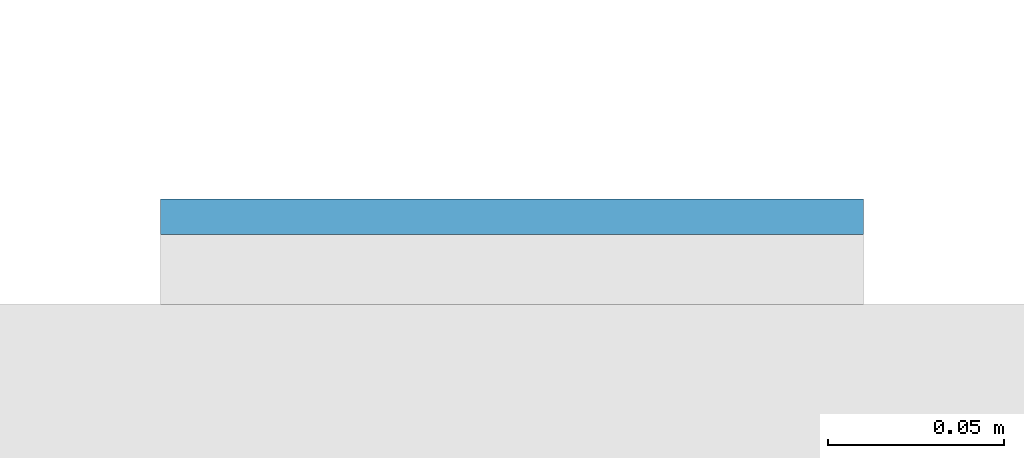
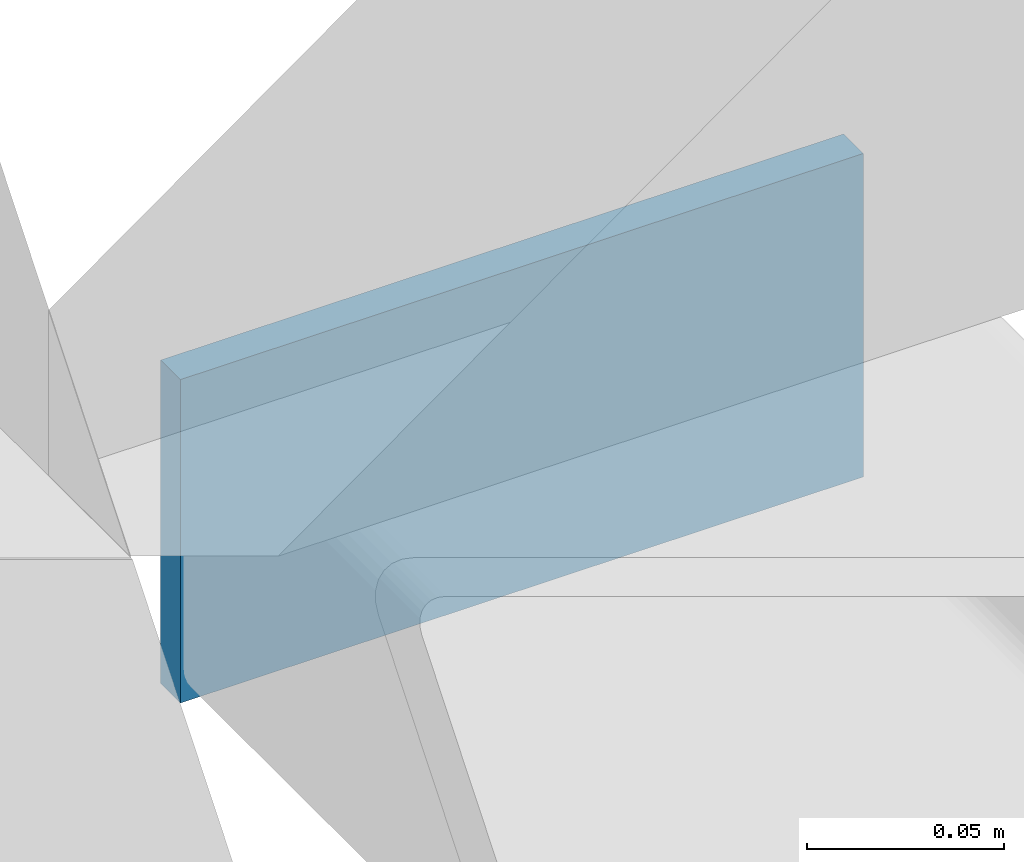
# One storey, part 12 of 17: 1 plate.
"""IFC4 building model written with IfcOpenShell, lengths in metres."""

from ifc_helpers import new_model, si_unit, direction, frame, origin, origin_2d, place, context, subcontext, project, spatial, rectangle, extrude, material, layer, layer_set, type_object, element, save


model = new_model("IFC4")

# Units and contexts
model_context = context("Model", 3, precision=1e-05, world=origin(), true_north=direction((0.0, 1.0)))
body_context = subcontext(model_context, "Body", "Model", "MODEL_VIEW")
ifc_project = project(units=[si_unit("LENGTHUNIT", "METRE"), si_unit("AREAUNIT", "SQUARE_METRE"), si_unit("VOLUMEUNIT", "CUBIC_METRE"), si_unit("PLANEANGLEUNIT", "RADIAN"), si_unit("MASSUNIT", "GRAM", prefix="KILO")], contexts=[model_context])

# Site, building, storey
site_placement = place(None, origin())
site = spatial("IfcSite", under=ifc_project, at=site_placement, CompositionType="ELEMENT")
building_placement = place(site_placement, origin())
building = spatial("IfcBuilding", under=site, at=building_placement, Name="Cleftline Residences", CompositionType="ELEMENT")
storey_placement = place(building_placement, frame((0.0, 0.0, 90.800048828125)))
storey = spatial("IfcBuildingStorey", under=building, at=storey_placement, Name="L23", CompositionType="ELEMENT", Elevation=90.800048828125)

# Plate
ifc_material = material(Name="Steel S355, hot-dip galvanised", Category="steel")
ifc_layer = layer(ifc_material, 0.010009765625)
ifc_layer_set = layer_set([ifc_layer], Name="BAGUETTE CARRIER END PLATE 200X100X10")
plate_type = type_object("IfcPlateType", Name="BAGUETTE CARRIER END PLATE 200X100X10", PredefinedType="USERDEFINED", material=ifc_layer_set)
plate_placement = place(storey_placement, frame((66.85009765625, 44.304931640625, -0.10009765625), z_axis=(0.0, 0.0, 1.0), x_axis=(1.0, 0.0, 0.0)))
element("IfcPlate", 1, at=plate_placement, inside=storey, type_object=plate_type, Name="Baguette carrier end plate", ObjectType="BAGUETTE CARRIER END PLATE", PredefinedType="USERDEFINED", context=body_context, shape_type="SweptSolid", body=[
    extrude(rectangle(XDim=0.199951171875, YDim=0.010009765625, at=origin_2d()), origin(), (0.0, 0.0, 1.0), 0.10009765625),
])

save(model, "model.ifc")
